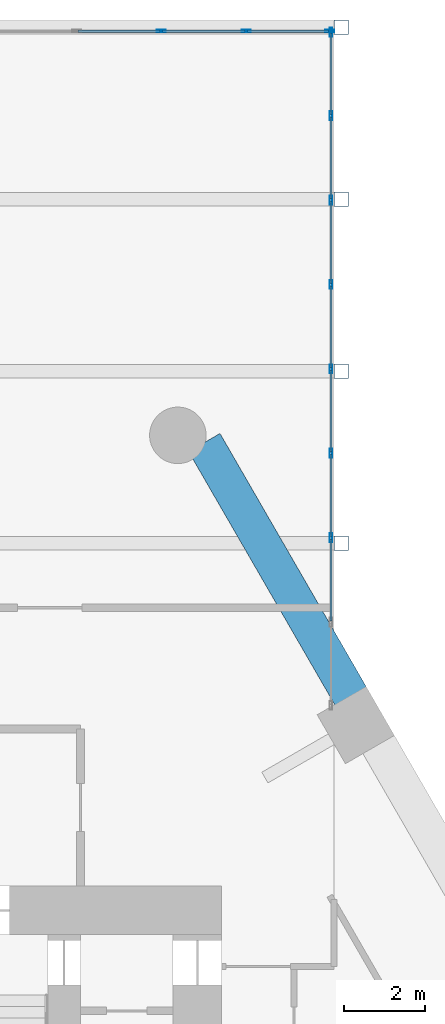
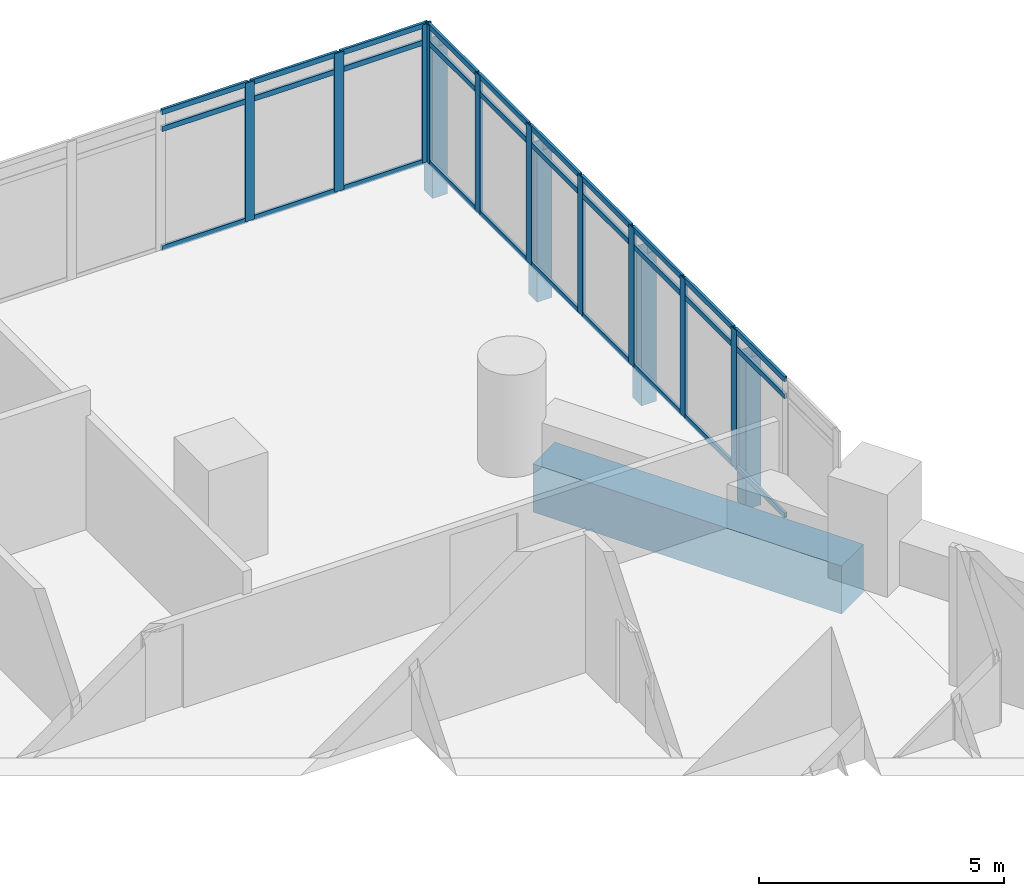
# One storey, part 19 of 28: 44 members, 1 beam, 2 elements without a shape of their own.
"""IFC4 building model written with IfcOpenShell, lengths in metres."""

from ifc_helpers import new_model, si_unit, direction, frame, origin, origin_2d, place, context, subcontext, project, spatial, rectangle, hollow_rectangle, extrude, material, material_profile, profile_set, type_object, element, aggregate, save


model = new_model("IFC4")

# Units and contexts
model_context = context("Model", 3, precision=1e-05, world=origin(), true_north=direction((0.0, 1.0)))
body_context = subcontext(model_context, "Body", "Model", "MODEL_VIEW")
ifc_project = project(units=[si_unit("LENGTHUNIT", "METRE"), si_unit("AREAUNIT", "SQUARE_METRE"), si_unit("VOLUMEUNIT", "CUBIC_METRE"), si_unit("PLANEANGLEUNIT", "RADIAN"), si_unit("MASSUNIT", "GRAM", prefix="KILO")], contexts=[model_context])

# Site, building, storey
site_placement = place(None, origin())
site = spatial("IfcSite", under=ifc_project, at=site_placement, CompositionType="ELEMENT")
building_placement = place(site_placement, origin())
building = spatial("IfcBuilding", under=site, at=building_placement, Name="Ostrander Bayou Hotel Tower", CompositionType="ELEMENT")
storey_placement = place(building_placement, frame((0.0, 0.0, 73.0)))
storey = spatial("IfcBuildingStorey", under=building, at=storey_placement, Name="L18", CompositionType="ELEMENT", Elevation=73.0)

# Curtain wall, members
ifc_material_1 = material(Name="Aluminium and clear glass", Category="aluminium")
curtain_wall_type = type_object("IfcCurtainWallType", Name="CW-BAR glazed wall", PredefinedType="NOTDEFINED", material=ifc_material_1)
curtain_wall_1_placement = place(storey_placement, origin())
curtain_wall_1 = element("IfcCurtainWall", 1, at=curtain_wall_1_placement, inside=storey, type_object=curtain_wall_type, Name="CW-BAR L18:SB1N:T", PredefinedType="NOTDEFINED")
ifc_material_2 = material(Name="Aluminium", Category="aluminium")
ifc_material_profile_1 = material_profile(ifc_material_2, hollow_rectangle(XDim=0.06005859375, YDim=0.219970703125, WallThickness=0.00390625, at=origin_2d()))
ifc_profile_set_1 = profile_set([ifc_material_profile_1], Name="Aluminium")
member_type_1 = type_object("IfcMemberType", Name="CW-BR mullion 60 x 220 mm", PredefinedType="MULLION", material=ifc_profile_set_1)
member_1_placement = place(storey_placement, frame((10.5087890625, 30.88623046875, 0.0), z_axis=(0.0, 0.0, 1.0), x_axis=(0.0, 1.0, 0.0)))
member_1 = element("IfcMember", 2, at=member_1_placement, type_object=member_type_1, Name="CW-BAR mullion 13", PredefinedType="MULLION", context=body_context, shape_type="SweptSolid", body=[
    extrude(hollow_rectangle(XDim=0.06005859375, YDim=0.219970703125, WallThickness=0.00390625, at=origin_2d()), origin(), (0.0, 0.0, 1.0), 3.449951171875),
])
member_2_placement = place(storey_placement, frame((12.6103515625, 30.88623046875, 0.0), z_axis=(0.0, 0.0, 1.0), x_axis=(0.0, 1.0, 0.0)))
member_2 = element("IfcMember", 3, at=member_2_placement, type_object=member_type_1, Name="CW-BAR mullion 14", PredefinedType="MULLION", context=body_context, shape_type="SweptSolid", body=[
    extrude(hollow_rectangle(XDim=0.06005859375, YDim=0.219970703125, WallThickness=0.00390625, at=origin_2d()), origin(), (0.0, 0.0, 1.0), 3.449951171875),
])
member_3_placement = place(storey_placement, frame((14.68212890625, 30.88623046875, 0.0), z_axis=(0.0, 0.0, 1.0), x_axis=(0.0, 1.0, 0.0)))
member_3 = element("IfcMember", 4, at=member_3_placement, type_object=member_type_1, Name="CW-BAR mullion 15", PredefinedType="MULLION", context=body_context, shape_type="SweptSolid", body=[
    extrude(hollow_rectangle(XDim=0.06005859375, YDim=0.219970703125, WallThickness=0.00390625, at=origin_2d()), origin(), (0.0, 0.0, 1.0), 3.449951171875),
])

curtain_wall_2_placement = place(storey_placement, origin())
curtain_wall_2 = element("IfcCurtainWall", 5, at=curtain_wall_2_placement, inside=storey, type_object=curtain_wall_type, Name="CW-BAR L18:SB1N:W", PredefinedType="NOTDEFINED")
member_4_placement = place(storey_placement, frame((14.712158203125, 18.33154296875, 0.0), z_axis=(0.0, 0.0, 1.0), x_axis=(-1.0, 0.0, 0.0)))
member_4 = element("IfcMember", 6, at=member_4_placement, type_object=member_type_1, Name="CW-BAR mullion 3", PredefinedType="MULLION", context=body_context, shape_type="SweptSolid", body=[
    extrude(hollow_rectangle(XDim=0.06005859375, YDim=0.219970703125, WallThickness=0.00390625, at=origin_2d()), origin(), (0.0, 0.0, 1.0), 3.449951171875),
])
member_5_placement = place(storey_placement, frame((14.712158203125, 20.424072265625, 0.0), z_axis=(0.0, 0.0, 1.0), x_axis=(-1.0, 0.0, 0.0)))
member_5 = element("IfcMember", 7, at=member_5_placement, type_object=member_type_1, Name="CW-BAR mullion 4", PredefinedType="MULLION", context=body_context, shape_type="SweptSolid", body=[
    extrude(hollow_rectangle(XDim=0.06005859375, YDim=0.219970703125, WallThickness=0.00390625, at=origin_2d()), origin(), (0.0, 0.0, 1.0), 3.449951171875),
])
member_6_placement = place(storey_placement, frame((14.712158203125, 22.5166015625, 0.0), z_axis=(0.0, 0.0, 1.0), x_axis=(-1.0, 0.0, 0.0)))
member_6 = element("IfcMember", 8, at=member_6_placement, type_object=member_type_1, Name="CW-BAR mullion 5", PredefinedType="MULLION", context=body_context, shape_type="SweptSolid", body=[
    extrude(hollow_rectangle(XDim=0.06005859375, YDim=0.219970703125, WallThickness=0.00390625, at=origin_2d()), origin(), (0.0, 0.0, 1.0), 3.449951171875),
])
member_7_placement = place(storey_placement, frame((14.712158203125, 24.60888671875, 0.0), z_axis=(0.0, 0.0, 1.0), x_axis=(-1.0, 0.0, 0.0)))
member_7 = element("IfcMember", 9, at=member_7_placement, type_object=member_type_1, Name="CW-BAR mullion 6", PredefinedType="MULLION", context=body_context, shape_type="SweptSolid", body=[
    extrude(hollow_rectangle(XDim=0.06005859375, YDim=0.219970703125, WallThickness=0.00390625, at=origin_2d()), origin(), (0.0, 0.0, 1.0), 3.449951171875),
])
member_8_placement = place(storey_placement, frame((14.712158203125, 26.701416015625, 0.0), z_axis=(0.0, 0.0, 1.0), x_axis=(-1.0, 0.0, 0.0)))
member_8 = element("IfcMember", 10, at=member_8_placement, type_object=member_type_1, Name="CW-BAR mullion 7", PredefinedType="MULLION", context=body_context, shape_type="SweptSolid", body=[
    extrude(hollow_rectangle(XDim=0.06005859375, YDim=0.219970703125, WallThickness=0.00390625, at=origin_2d()), origin(), (0.0, 0.0, 1.0), 3.449951171875),
])
member_9_placement = place(storey_placement, frame((14.712158203125, 28.793701171875, 0.0), z_axis=(0.0, 0.0, 1.0), x_axis=(-1.0, 0.0, 0.0)))
member_9 = element("IfcMember", 11, at=member_9_placement, type_object=member_type_1, Name="CW-BAR mullion 8", PredefinedType="MULLION", context=body_context, shape_type="SweptSolid", body=[
    extrude(hollow_rectangle(XDim=0.06005859375, YDim=0.219970703125, WallThickness=0.00390625, at=origin_2d()), origin(), (0.0, 0.0, 1.0), 3.449951171875),
])
member_10_placement = place(storey_placement, frame((14.712158203125, 30.856201171875, 0.0), z_axis=(0.0, 0.0, 1.0), x_axis=(-1.0, 0.0, 0.0)))
member_10 = element("IfcMember", 12, at=member_10_placement, type_object=member_type_1, Name="CW-BAR mullion 9", PredefinedType="MULLION", context=body_context, shape_type="SweptSolid", body=[
    extrude(hollow_rectangle(XDim=0.06005859375, YDim=0.219970703125, WallThickness=0.00390625, at=origin_2d()), origin(), (0.0, 0.0, 1.0), 3.449951171875),
])

# Member
ifc_material_3 = material(Name="Aluminium", Category="aluminium")
ifc_material_profile_2 = material_profile(ifc_material_3, hollow_rectangle(XDim=0.06005859375, YDim=0.1298828125, WallThickness=0.00390625, at=origin_2d()))
ifc_profile_set_2 = profile_set([ifc_material_profile_2], Name="Aluminium")
member_type_2 = type_object("IfcMemberType", Name="CW-BR transom 60 x 130 mm", PredefinedType="USERDEFINED", material=ifc_profile_set_2)
member_11_placement = place(storey_placement, frame((8.43701171875, 30.88623046875, 0.030029296875), z_axis=(1.0, 0.0, 0.0), x_axis=(0.0, 1.0, 0.0)))
member_11 = element("IfcMember", 13, at=member_11_placement, type_object=member_type_2, Name="CW-BAR transom 12.1", ObjectType="TRANSOM", PredefinedType="USERDEFINED", context=body_context, shape_type="SweptSolid", body=[
    extrude(hollow_rectangle(XDim=0.06005859375, YDim=0.1298828125, WallThickness=0.00390625, at=origin_2d()), origin(), (0.0, 0.0, 1.0), 2.041748046875),
])

member_12_placement = place(storey_placement, frame((8.43701171875, 30.88623046875, 3.0), z_axis=(1.0, 0.0, 0.0), x_axis=(0.0, 1.0, 0.0)))
member_12 = element("IfcMember", 14, at=member_12_placement, type_object=member_type_2, Name="CW-BAR transom 12.2", ObjectType="TRANSOM", PredefinedType="USERDEFINED", context=body_context, shape_type="SweptSolid", body=[
    extrude(hollow_rectangle(XDim=0.06005859375, YDim=0.1298828125, WallThickness=0.00390625, at=origin_2d()), origin(), (0.0, 0.0, 1.0), 2.041748046875),
])

member_13_placement = place(storey_placement, frame((8.43701171875, 30.88623046875, 3.419921875), z_axis=(1.0, 0.0, 0.0), x_axis=(0.0, 1.0, 0.0)))
member_13 = element("IfcMember", 15, at=member_13_placement, type_object=member_type_2, Name="CW-BAR transom 12.3", ObjectType="TRANSOM", PredefinedType="USERDEFINED", context=body_context, shape_type="SweptSolid", body=[
    extrude(hollow_rectangle(XDim=0.06005859375, YDim=0.1298828125, WallThickness=0.00390625, at=origin_2d()), origin(), (0.0, 0.0, 1.0), 2.041748046875),
])

member_14_placement = place(storey_placement, frame((10.538818359375, 30.88623046875, 0.030029296875), z_axis=(1.0, 0.0, 0.0), x_axis=(0.0, 1.0, 0.0)))
member_14 = element("IfcMember", 16, at=member_14_placement, type_object=member_type_2, Name="CW-BAR transom 13.1", ObjectType="TRANSOM", PredefinedType="USERDEFINED", context=body_context, shape_type="SweptSolid", body=[
    extrude(hollow_rectangle(XDim=0.06005859375, YDim=0.1298828125, WallThickness=0.00390625, at=origin_2d()), origin(), (0.0, 0.0, 1.0), 2.041748046875),
])

member_15_placement = place(storey_placement, frame((10.538818359375, 30.88623046875, 3.0), z_axis=(1.0, 0.0, 0.0), x_axis=(0.0, 1.0, 0.0)))
member_15 = element("IfcMember", 17, at=member_15_placement, type_object=member_type_2, Name="CW-BAR transom 13.2", ObjectType="TRANSOM", PredefinedType="USERDEFINED", context=body_context, shape_type="SweptSolid", body=[
    extrude(hollow_rectangle(XDim=0.06005859375, YDim=0.1298828125, WallThickness=0.00390625, at=origin_2d()), origin(), (0.0, 0.0, 1.0), 2.041748046875),
])

member_16_placement = place(storey_placement, frame((10.538818359375, 30.88623046875, 3.419921875), z_axis=(1.0, 0.0, 0.0), x_axis=(0.0, 1.0, 0.0)))
member_16 = element("IfcMember", 18, at=member_16_placement, type_object=member_type_2, Name="CW-BAR transom 13.3", ObjectType="TRANSOM", PredefinedType="USERDEFINED", context=body_context, shape_type="SweptSolid", body=[
    extrude(hollow_rectangle(XDim=0.06005859375, YDim=0.1298828125, WallThickness=0.00390625, at=origin_2d()), origin(), (0.0, 0.0, 1.0), 2.041748046875),
])

member_17_placement = place(storey_placement, frame((12.640380859375, 30.88623046875, 0.030029296875), z_axis=(1.0, 0.0, 0.0), x_axis=(0.0, 1.0, 0.0)))
member_17 = element("IfcMember", 19, at=member_17_placement, type_object=member_type_2, Name="CW-BAR transom 14.1", ObjectType="TRANSOM", PredefinedType="USERDEFINED", context=body_context, shape_type="SweptSolid", body=[
    extrude(hollow_rectangle(XDim=0.06005859375, YDim=0.1298828125, WallThickness=0.00390625, at=origin_2d()), origin(), (0.0, 0.0, 1.0), 2.01171875),
])

member_18_placement = place(storey_placement, frame((12.640380859375, 30.88623046875, 3.0), z_axis=(1.0, 0.0, 0.0), x_axis=(0.0, 1.0, 0.0)))
member_18 = element("IfcMember", 20, at=member_18_placement, type_object=member_type_2, Name="CW-BAR transom 14.2", ObjectType="TRANSOM", PredefinedType="USERDEFINED", context=body_context, shape_type="SweptSolid", body=[
    extrude(hollow_rectangle(XDim=0.06005859375, YDim=0.1298828125, WallThickness=0.00390625, at=origin_2d()), origin(), (0.0, 0.0, 1.0), 2.01171875),
])

member_19_placement = place(storey_placement, frame((12.640380859375, 30.88623046875, 3.419921875), z_axis=(1.0, 0.0, 0.0), x_axis=(0.0, 1.0, 0.0)))
member_19 = element("IfcMember", 21, at=member_19_placement, type_object=member_type_2, Name="CW-BAR transom 14.3", ObjectType="TRANSOM", PredefinedType="USERDEFINED", context=body_context, shape_type="SweptSolid", body=[
    extrude(hollow_rectangle(XDim=0.06005859375, YDim=0.1298828125, WallThickness=0.00390625, at=origin_2d()), origin(), (0.0, 0.0, 1.0), 2.01171875),
])

aggregate(curtain_wall_1, [member_1, member_2, member_3, member_11, member_12, member_13, member_14, member_15, member_16, member_17, member_18, member_19])

member_20_placement = place(storey_placement, frame((14.712158203125, 16.269287109375, 0.030029296875), z_axis=(0.0, 1.0, 0.0), x_axis=(-1.0, 0.0, 0.0)))
member_20 = element("IfcMember", 22, at=member_20_placement, type_object=member_type_2, Name="CW-BAR transom 2.1", ObjectType="TRANSOM", PredefinedType="USERDEFINED", context=body_context, shape_type="SweptSolid", body=[
    extrude(hollow_rectangle(XDim=0.06005859375, YDim=0.1298828125, WallThickness=0.00390625, at=origin_2d()), origin(), (0.0, 0.0, 1.0), 2.032470703125),
])

member_21_placement = place(storey_placement, frame((14.712158203125, 16.269287109375, 3.0), z_axis=(0.0, 1.0, 0.0), x_axis=(-1.0, 0.0, 0.0)))
member_21 = element("IfcMember", 23, at=member_21_placement, type_object=member_type_2, Name="CW-BAR transom 2.2", ObjectType="TRANSOM", PredefinedType="USERDEFINED", context=body_context, shape_type="SweptSolid", body=[
    extrude(hollow_rectangle(XDim=0.06005859375, YDim=0.1298828125, WallThickness=0.00390625, at=origin_2d()), origin(), (0.0, 0.0, 1.0), 2.032470703125),
])

member_22_placement = place(storey_placement, frame((14.712158203125, 16.269287109375, 3.419921875), z_axis=(0.0, 1.0, 0.0), x_axis=(-1.0, 0.0, 0.0)))
member_22 = element("IfcMember", 24, at=member_22_placement, type_object=member_type_2, Name="CW-BAR transom 2.3", ObjectType="TRANSOM", PredefinedType="USERDEFINED", context=body_context, shape_type="SweptSolid", body=[
    extrude(hollow_rectangle(XDim=0.06005859375, YDim=0.1298828125, WallThickness=0.00390625, at=origin_2d()), origin(), (0.0, 0.0, 1.0), 2.032470703125),
])

member_23_placement = place(storey_placement, frame((14.712158203125, 18.361572265625, 0.030029296875), z_axis=(0.0, 1.0, 0.0), x_axis=(-1.0, 0.0, 0.0)))
member_23 = element("IfcMember", 25, at=member_23_placement, type_object=member_type_2, Name="CW-BAR transom 3.1", ObjectType="TRANSOM", PredefinedType="USERDEFINED", context=body_context, shape_type="SweptSolid", body=[
    extrude(hollow_rectangle(XDim=0.06005859375, YDim=0.1298828125, WallThickness=0.00390625, at=origin_2d()), origin(), (0.0, 0.0, 1.0), 2.032470703125),
])

member_24_placement = place(storey_placement, frame((14.712158203125, 18.361572265625, 3.0), z_axis=(0.0, 1.0, 0.0), x_axis=(-1.0, 0.0, 0.0)))
member_24 = element("IfcMember", 26, at=member_24_placement, type_object=member_type_2, Name="CW-BAR transom 3.2", ObjectType="TRANSOM", PredefinedType="USERDEFINED", context=body_context, shape_type="SweptSolid", body=[
    extrude(hollow_rectangle(XDim=0.06005859375, YDim=0.1298828125, WallThickness=0.00390625, at=origin_2d()), origin(), (0.0, 0.0, 1.0), 2.032470703125),
])

member_25_placement = place(storey_placement, frame((14.712158203125, 18.361572265625, 3.419921875), z_axis=(0.0, 1.0, 0.0), x_axis=(-1.0, 0.0, 0.0)))
member_25 = element("IfcMember", 27, at=member_25_placement, type_object=member_type_2, Name="CW-BAR transom 3.3", ObjectType="TRANSOM", PredefinedType="USERDEFINED", context=body_context, shape_type="SweptSolid", body=[
    extrude(hollow_rectangle(XDim=0.06005859375, YDim=0.1298828125, WallThickness=0.00390625, at=origin_2d()), origin(), (0.0, 0.0, 1.0), 2.032470703125),
])

member_26_placement = place(storey_placement, frame((14.712158203125, 20.4541015625, 0.030029296875), z_axis=(0.0, 1.0, 0.0), x_axis=(-1.0, 0.0, 0.0)))
member_26 = element("IfcMember", 28, at=member_26_placement, type_object=member_type_2, Name="CW-BAR transom 4.1", ObjectType="TRANSOM", PredefinedType="USERDEFINED", context=body_context, shape_type="SweptSolid", body=[
    extrude(hollow_rectangle(XDim=0.06005859375, YDim=0.1298828125, WallThickness=0.00390625, at=origin_2d()), origin(), (0.0, 0.0, 1.0), 2.032470703125),
])

member_27_placement = place(storey_placement, frame((14.712158203125, 20.4541015625, 3.0), z_axis=(0.0, 1.0, 0.0), x_axis=(-1.0, 0.0, 0.0)))
member_27 = element("IfcMember", 29, at=member_27_placement, type_object=member_type_2, Name="CW-BAR transom 4.2", ObjectType="TRANSOM", PredefinedType="USERDEFINED", context=body_context, shape_type="SweptSolid", body=[
    extrude(hollow_rectangle(XDim=0.06005859375, YDim=0.1298828125, WallThickness=0.00390625, at=origin_2d()), origin(), (0.0, 0.0, 1.0), 2.032470703125),
])

member_28_placement = place(storey_placement, frame((14.712158203125, 20.4541015625, 3.419921875), z_axis=(0.0, 1.0, 0.0), x_axis=(-1.0, 0.0, 0.0)))
member_28 = element("IfcMember", 30, at=member_28_placement, type_object=member_type_2, Name="CW-BAR transom 4.3", ObjectType="TRANSOM", PredefinedType="USERDEFINED", context=body_context, shape_type="SweptSolid", body=[
    extrude(hollow_rectangle(XDim=0.06005859375, YDim=0.1298828125, WallThickness=0.00390625, at=origin_2d()), origin(), (0.0, 0.0, 1.0), 2.032470703125),
])

member_29_placement = place(storey_placement, frame((14.712158203125, 22.54638671875, 0.030029296875), z_axis=(0.0, 1.0, 0.0), x_axis=(-1.0, 0.0, 0.0)))
member_29 = element("IfcMember", 31, at=member_29_placement, type_object=member_type_2, Name="CW-BAR transom 5.1", ObjectType="TRANSOM", PredefinedType="USERDEFINED", context=body_context, shape_type="SweptSolid", body=[
    extrude(hollow_rectangle(XDim=0.06005859375, YDim=0.1298828125, WallThickness=0.00390625, at=origin_2d()), origin(), (0.0, 0.0, 1.0), 2.032470703125),
])

member_30_placement = place(storey_placement, frame((14.712158203125, 22.54638671875, 3.0), z_axis=(0.0, 1.0, 0.0), x_axis=(-1.0, 0.0, 0.0)))
member_30 = element("IfcMember", 32, at=member_30_placement, type_object=member_type_2, Name="CW-BAR transom 5.2", ObjectType="TRANSOM", PredefinedType="USERDEFINED", context=body_context, shape_type="SweptSolid", body=[
    extrude(hollow_rectangle(XDim=0.06005859375, YDim=0.1298828125, WallThickness=0.00390625, at=origin_2d()), origin(), (0.0, 0.0, 1.0), 2.032470703125),
])

member_31_placement = place(storey_placement, frame((14.712158203125, 22.54638671875, 3.419921875), z_axis=(0.0, 1.0, 0.0), x_axis=(-1.0, 0.0, 0.0)))
member_31 = element("IfcMember", 33, at=member_31_placement, type_object=member_type_2, Name="CW-BAR transom 5.3", ObjectType="TRANSOM", PredefinedType="USERDEFINED", context=body_context, shape_type="SweptSolid", body=[
    extrude(hollow_rectangle(XDim=0.06005859375, YDim=0.1298828125, WallThickness=0.00390625, at=origin_2d()), origin(), (0.0, 0.0, 1.0), 2.032470703125),
])

member_32_placement = place(storey_placement, frame((14.712158203125, 24.638916015625, 0.030029296875), z_axis=(0.0, 1.0, 0.0), x_axis=(-1.0, 0.0, 0.0)))
member_32 = element("IfcMember", 34, at=member_32_placement, type_object=member_type_2, Name="CW-BAR transom 6.1", ObjectType="TRANSOM", PredefinedType="USERDEFINED", context=body_context, shape_type="SweptSolid", body=[
    extrude(hollow_rectangle(XDim=0.06005859375, YDim=0.1298828125, WallThickness=0.00390625, at=origin_2d()), origin(), (0.0, 0.0, 1.0), 2.032470703125),
])

member_33_placement = place(storey_placement, frame((14.712158203125, 24.638916015625, 3.0), z_axis=(0.0, 1.0, 0.0), x_axis=(-1.0, 0.0, 0.0)))
member_33 = element("IfcMember", 35, at=member_33_placement, type_object=member_type_2, Name="CW-BAR transom 6.2", ObjectType="TRANSOM", PredefinedType="USERDEFINED", context=body_context, shape_type="SweptSolid", body=[
    extrude(hollow_rectangle(XDim=0.06005859375, YDim=0.1298828125, WallThickness=0.00390625, at=origin_2d()), origin(), (0.0, 0.0, 1.0), 2.032470703125),
])

member_34_placement = place(storey_placement, frame((14.712158203125, 24.638916015625, 3.419921875), z_axis=(0.0, 1.0, 0.0), x_axis=(-1.0, 0.0, 0.0)))
member_34 = element("IfcMember", 36, at=member_34_placement, type_object=member_type_2, Name="CW-BAR transom 6.3", ObjectType="TRANSOM", PredefinedType="USERDEFINED", context=body_context, shape_type="SweptSolid", body=[
    extrude(hollow_rectangle(XDim=0.06005859375, YDim=0.1298828125, WallThickness=0.00390625, at=origin_2d()), origin(), (0.0, 0.0, 1.0), 2.032470703125),
])

member_35_placement = place(storey_placement, frame((14.712158203125, 26.7314453125, 0.030029296875), z_axis=(0.0, 1.0, 0.0), x_axis=(-1.0, 0.0, 0.0)))
member_35 = element("IfcMember", 37, at=member_35_placement, type_object=member_type_2, Name="CW-BAR transom 7.1", ObjectType="TRANSOM", PredefinedType="USERDEFINED", context=body_context, shape_type="SweptSolid", body=[
    extrude(hollow_rectangle(XDim=0.06005859375, YDim=0.1298828125, WallThickness=0.00390625, at=origin_2d()), origin(), (0.0, 0.0, 1.0), 2.0322265625),
])

member_36_placement = place(storey_placement, frame((14.712158203125, 26.7314453125, 3.0), z_axis=(0.0, 1.0, 0.0), x_axis=(-1.0, 0.0, 0.0)))
member_36 = element("IfcMember", 38, at=member_36_placement, type_object=member_type_2, Name="CW-BAR transom 7.2", ObjectType="TRANSOM", PredefinedType="USERDEFINED", context=body_context, shape_type="SweptSolid", body=[
    extrude(hollow_rectangle(XDim=0.06005859375, YDim=0.1298828125, WallThickness=0.00390625, at=origin_2d()), origin(), (0.0, 0.0, 1.0), 2.0322265625),
])

member_37_placement = place(storey_placement, frame((14.712158203125, 26.7314453125, 3.419921875), z_axis=(0.0, 1.0, 0.0), x_axis=(-1.0, 0.0, 0.0)))
member_37 = element("IfcMember", 39, at=member_37_placement, type_object=member_type_2, Name="CW-BAR transom 7.3", ObjectType="TRANSOM", PredefinedType="USERDEFINED", context=body_context, shape_type="SweptSolid", body=[
    extrude(hollow_rectangle(XDim=0.06005859375, YDim=0.1298828125, WallThickness=0.00390625, at=origin_2d()), origin(), (0.0, 0.0, 1.0), 2.0322265625),
])

member_38_placement = place(storey_placement, frame((14.712158203125, 28.82373046875, 0.030029296875), z_axis=(0.0, 1.0, 0.0), x_axis=(-1.0, 0.0, 0.0)))
member_38 = element("IfcMember", 40, at=member_38_placement, type_object=member_type_2, Name="CW-BAR transom 8.1", ObjectType="TRANSOM", PredefinedType="USERDEFINED", context=body_context, shape_type="SweptSolid", body=[
    extrude(hollow_rectangle(XDim=0.06005859375, YDim=0.1298828125, WallThickness=0.00390625, at=origin_2d()), origin(), (0.0, 0.0, 1.0), 2.00244140625),
])

member_39_placement = place(storey_placement, frame((14.712158203125, 28.82373046875, 3.0), z_axis=(0.0, 1.0, 0.0), x_axis=(-1.0, 0.0, 0.0)))
member_39 = element("IfcMember", 41, at=member_39_placement, type_object=member_type_2, Name="CW-BAR transom 8.2", ObjectType="TRANSOM", PredefinedType="USERDEFINED", context=body_context, shape_type="SweptSolid", body=[
    extrude(hollow_rectangle(XDim=0.06005859375, YDim=0.1298828125, WallThickness=0.00390625, at=origin_2d()), origin(), (0.0, 0.0, 1.0), 2.00244140625),
])

member_40_placement = place(storey_placement, frame((14.712158203125, 28.82373046875, 3.419921875), z_axis=(0.0, 1.0, 0.0), x_axis=(-1.0, 0.0, 0.0)))
member_40 = element("IfcMember", 42, at=member_40_placement, type_object=member_type_2, Name="CW-BAR transom 8.3", ObjectType="TRANSOM", PredefinedType="USERDEFINED", context=body_context, shape_type="SweptSolid", body=[
    extrude(hollow_rectangle(XDim=0.06005859375, YDim=0.1298828125, WallThickness=0.00390625, at=origin_2d()), origin(), (0.0, 0.0, 1.0), 2.00244140625),
])

aggregate(curtain_wall_2, [member_4, member_5, member_6, member_7, member_8, member_9, member_10, member_20, member_21, member_22, member_23, member_24, member_25, member_26, member_27, member_28, member_29, member_30, member_31, member_32, member_33, member_34, member_35, member_36, member_37, member_38, member_39, member_40])

# Beam
ifc_material_4 = material(Name="Concrete f'c 70 MPa", Category="concrete")
ifc_material_profile_3 = material_profile(ifc_material_4, rectangle(XDim=0.89990234375, YDim=1.199951171875, at=origin_2d()))
ifc_profile_set_3 = profile_set([ifc_material_profile_3], Name="Concrete f'c 70 MPa")
beam_type = type_object("IfcBeamType", Name="SP1 spandrel beam 900 x 1200 mm f'c 70 MPa", PredefinedType="SPANDREL", material=ifc_profile_set_3)
beam_placement = place(storey_placement, frame((15.20654296875, 14.397705078125, -0.60009765625), z_axis=(-0.50000343918, 0.866023418164, 0.0), x_axis=(-0.866023418164, -0.50000343918, 0.0)))
element("IfcBeam", 43, at=beam_placement, inside=storey, type_object=beam_type, Name="SP1 L18 NE-3", PredefinedType="SPANDREL", context=body_context, shape_type="SweptSolid", body=[
    extrude(rectangle(XDim=0.89990234375, YDim=1.199951171875, at=origin_2d()), origin(), (0.0, 0.0, 1.0), 7.2705078125),
])

# Members
ifc_material_5 = material(Name="Steel ASTM A500 Gr C", Category="steel")
ifc_material_profile_4 = material_profile(ifc_material_5, hollow_rectangle(XDim=0.355712890625, YDim=0.355712890625, WallThickness=0.0146484375, at=origin_2d()))
ifc_profile_set_4 = profile_set([ifc_material_profile_4], Name="Steel ASTM A500 Gr C")
member_type_3 = type_object("IfcMemberType", Name="TH1 bar hanger HSS14x14x5/8", PredefinedType="POST", material=ifc_profile_set_4)
for number, where, z_axis, x_axis, name in (
    (44, (14.965087890625, 30.986083984375, -0.921875), (0.0, 0.0, 1.0), (1.0, 0.0, 0.0), "TH1 SB1WB H1-3"),
    (45, (14.965087890625, 26.723876953125, -0.921875), (0.0, 0.0, 1.0), (1.0, 0.0, 0.0), "TH1 SB1WB H2-3"),
    (46, (14.965087890625, 22.46142578125, -0.921875), (0.0, 0.0, 1.0), (1.0, 0.0, 0.0), "TH1 SB1WB H3-3"),
    (47, (14.965087890625, 18.198974609375, -0.921875), (0.0, 0.0, 1.0), (1.0, 0.0, 0.0), "TH1 SB1WB H4-3"),
):
    element("IfcMember", number, at=place(storey_placement, frame(where, z_axis=z_axis, x_axis=x_axis)), inside=storey, type_object=member_type_3, Name=name, PredefinedType="POST", context=body_context, shape_type="SweptSolid", body=[
        extrude(hollow_rectangle(XDim=0.355712890625, YDim=0.355712890625, WallThickness=0.0146484375, at=origin_2d()), origin(), (0.0, 0.0, 1.0), 3.75),
    ])

save(model, "model.ifc")
